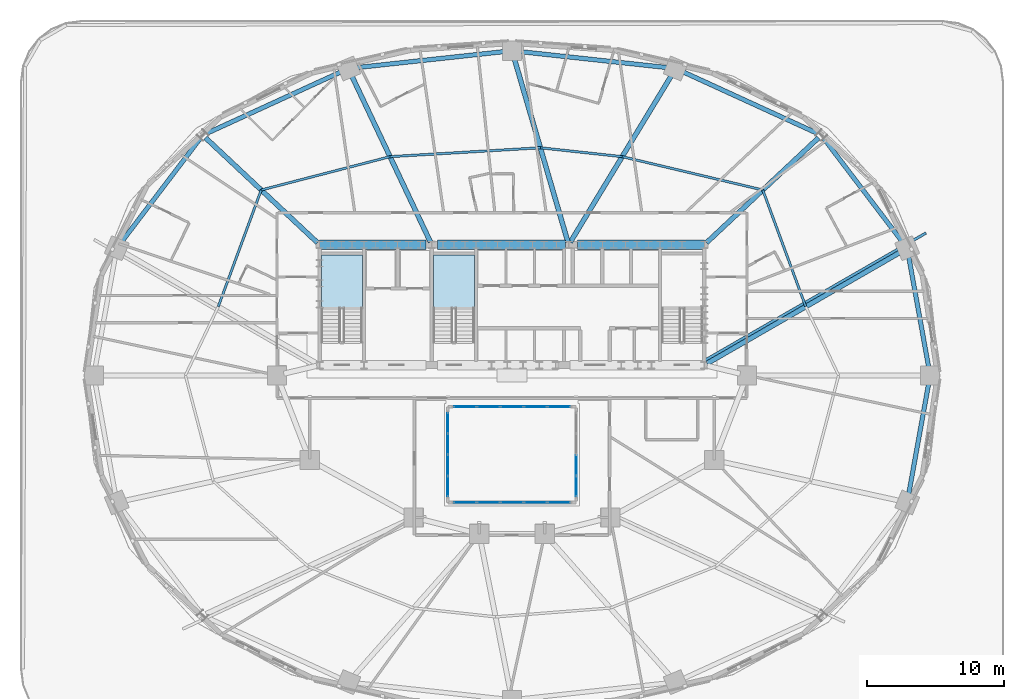
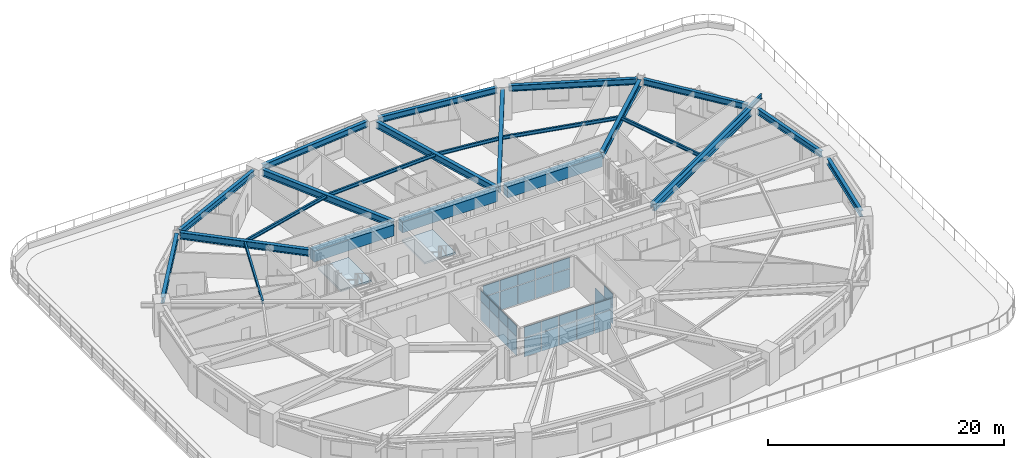
# One storey, part 6 of 18: 31 plates, 24 beams, 2 slabs, 6 elements without a shape of their own.
"""IFC4 building model written with IfcOpenShell, lengths in metres."""

from ifc_helpers import new_model, si_unit, direction, frame, origin, origin_2d, place, context, subcontext, project, spatial, polyline, rectangle, i_section, outline, extrude, material, layer, layer_set, material_profile, profile_set, type_object, element, aggregate, save


model = new_model("IFC4")

# Units and contexts
model_context = context("Model", 3, precision=1e-05, world=origin(), true_north=direction((0.0, 1.0)))
body_context = subcontext(model_context, "Body", "Model", "MODEL_VIEW")
ifc_project = project(units=[si_unit("LENGTHUNIT", "METRE"), si_unit("AREAUNIT", "SQUARE_METRE"), si_unit("VOLUMEUNIT", "CUBIC_METRE"), si_unit("PLANEANGLEUNIT", "RADIAN"), si_unit("MASSUNIT", "GRAM", prefix="KILO")], contexts=[model_context])

# Site, building, storey
site_placement = place(None, origin())
site = spatial("IfcSite", under=ifc_project, at=site_placement, CompositionType="ELEMENT")
building_placement = place(site_placement, origin())
building = spatial("IfcBuilding", under=site, at=building_placement, Name="Haldorwick Loom Tower", CompositionType="ELEMENT")
storey_placement = place(building_placement, frame((0.0, 0.0, 24.0)))
storey = spatial("IfcBuildingStorey", under=building, at=storey_placement, Name="L05", CompositionType="ELEMENT", Elevation=24.0)

# Beams
ifc_material_1 = material(Name="Steel CSA G40.21 350W", Category="steel")
ifc_material_profile_1 = material_profile(ifc_material_1, i_section(OverallWidth=0.193115234375, OverallDepth=0.466064453125, WebThickness=0.011474609375, FlangeThickness=0.01904296875, at=origin_2d()), Name="W460X97", Category="steel")
ifc_profile_set_1 = profile_set([ifc_material_profile_1], Name="Steel CSA G40.21 350W")
beam_type_1 = type_object("IfcBeamType", Name="STR-BM-BAL460", PredefinedType="BEAM", material=ifc_profile_set_1)
beam_1_placement = place(storey_placement, frame((50.125244140625, 27.10498046875, 2.97705078125), z_axis=(0.866607024941, 0.49899124674, 0.0), x_axis=(-0.49899124674, 0.866607024941, 0.0)))
element("IfcBeam", 1, at=beam_1_placement, inside=storey, type_object=beam_type_1, Name="L05 Continuous Back-Spanned Balcony Beam 4", PredefinedType="BEAM", context=body_context, shape_type="SweptSolid", body=[
    extrude(i_section(OverallWidth=0.193115234375, OverallDepth=0.466064453125, WebThickness=0.011474609375, FlangeThickness=0.01904296875, at=origin_2d()), origin(), (0.0, 0.0, 1.0), 18.65771484375),
])
ifc_material_2 = material(Name="Concrete C60 (60 MPa)", Category="concrete")
ifc_material_profile_2 = material_profile(ifc_material_2, rectangle(XDim=0.699951171875, YDim=1.14990234375, at=origin_2d()), Name="RC700X1150", Category="concrete")
ifc_profile_set_2 = profile_set([ifc_material_profile_2], Name="Concrete C60 (60 MPa)")
beam_type_2 = type_object("IfcBeamType", Name="STR-BM-CB1150", PredefinedType="LINTEL", material=ifc_profile_set_2)
beam_2_placement = place(storey_placement, frame((21.89990234375, 35.550048828125, 2.635009765625), z_axis=(1.0, 0.0, 0.0), x_axis=(0.0, 1.0, 0.0)))
element("IfcBeam", 2, at=beam_2_placement, inside=storey, type_object=beam_type_2, Name="L05 Core Coupling Beam CB-N1", PredefinedType="LINTEL", context=body_context, shape_type="SweptSolid", body=[
    extrude(rectangle(XDim=0.699951171875, YDim=1.14990234375, at=origin_2d()), origin(), (0.0, 0.0, 1.0), 7.800048828125),
])
beam_3_placement = place(storey_placement, frame((30.550048828125, 35.550048828125, 2.635009765625), z_axis=(1.0, 0.0, 0.0), x_axis=(0.0, 1.0, 0.0)))
element("IfcBeam", 3, at=beam_3_placement, inside=storey, type_object=beam_type_2, Name="L05 Core Coupling Beam CB-N2", PredefinedType="LINTEL", context=body_context, shape_type="SweptSolid", body=[
    extrude(rectangle(XDim=0.699951171875, YDim=1.14990234375, at=origin_2d()), origin(), (0.0, 0.0, 1.0), 9.349853515625),
])
beam_4_placement = place(storey_placement, frame((40.800048828125, 35.550048828125, 2.635009765625), z_axis=(1.0, 0.0, 0.0), x_axis=(0.0, 1.0, 0.0)))
element("IfcBeam", 4, at=beam_4_placement, inside=storey, type_object=beam_type_2, Name="L05 Core Coupling Beam CB-N3", PredefinedType="LINTEL", context=body_context, shape_type="SweptSolid", body=[
    extrude(rectangle(XDim=0.699951171875, YDim=1.14990234375, at=origin_2d()), origin(), (0.0, 0.0, 1.0), 9.300048828125),
])
ifc_material_profile_3 = material_profile(ifc_material_1, i_section(OverallWidth=0.172119140625, OverallDepth=0.35791015625, WebThickness=0.0078125, FlangeThickness=0.01318359375, at=origin_2d()), Name="W360X57", Category="steel")
ifc_profile_set_3 = profile_set([ifc_material_profile_3], Name="Steel CSA G40.21 350W")
beam_type_3 = type_object("IfcBeamType", Name="STR-BM-J360", PredefinedType="JOIST", material=ifc_profile_set_3)
beam_5_placement = place(storey_placement, frame((57.49365234375, 31.024658203125, 3.031005859375), z_axis=(-0.345576005762, 0.938390763084, 0.0), x_axis=(-0.938390763084, -0.345576005762, 0.0)))
element("IfcBeam", 5, at=beam_5_placement, inside=storey, type_object=beam_type_3, Name="L05 Mid-Bay Secondary Joist 2", PredefinedType="JOIST", context=body_context, shape_type="SweptSolid", body=[
    extrude(i_section(OverallWidth=0.172119140625, OverallDepth=0.35791015625, WebThickness=0.0078125, FlangeThickness=0.01318359375, at=origin_2d()), origin(), (0.0, 0.0, 1.0), 9.0966796875),
])
beam_6_placement = place(storey_placement, frame((54.35009765625, 39.560791015625, 3.031005859375), z_axis=(-0.973016191143, 0.230736845289, 0.0), x_axis=(-0.230736845289, -0.973016191143, 0.0)))
element("IfcBeam", 6, at=beam_6_placement, inside=storey, type_object=beam_type_3, Name="L05 Mid-Bay Secondary Joist 3", PredefinedType="JOIST", context=body_context, shape_type="SweptSolid", body=[
    extrude(i_section(OverallWidth=0.172119140625, OverallDepth=0.35791015625, WebThickness=0.0078125, FlangeThickness=0.01318359375, at=origin_2d()), origin(), (0.0, 0.0, 1.0), 10.5712890625),
])
beam_7_placement = place(storey_placement, frame((44.06396484375, 42.0, 3.031005859375), z_axis=(-0.994163660215, 0.107882420753, 0.0), x_axis=(-0.107882420753, -0.994163660215, 0.0)))
element("IfcBeam", 7, at=beam_7_placement, inside=storey, type_object=beam_type_3, Name="L05 Mid-Bay Secondary Joist 4", PredefinedType="JOIST", context=body_context, shape_type="SweptSolid", body=[
    extrude(i_section(OverallWidth=0.172119140625, OverallDepth=0.35791015625, WebThickness=0.0078125, FlangeThickness=0.01318359375, at=origin_2d()), origin(), (0.0, 0.0, 1.0), 6.024169921875),
])
beam_8_placement = place(storey_placement, frame((38.074951171875, 42.64990234375, 3.031005859375), z_axis=(-0.998258904552, -0.058984400336, 0.0), x_axis=(0.058984400336, -0.998258904552, 0.0)))
element("IfcBeam", 8, at=beam_8_placement, inside=storey, type_object=beam_type_3, Name="L05 Mid-Bay Secondary Joist 5", PredefinedType="JOIST", context=body_context, shape_type="SweptSolid", body=[
    extrude(i_section(OverallWidth=0.172119140625, OverallDepth=0.35791015625, WebThickness=0.0078125, FlangeThickness=0.01318359375, at=origin_2d()), origin(), (0.0, 0.0, 1.0), 11.018310546875),
])
beam_9_placement = place(storey_placement, frame((27.075927734375, 42.0, 3.031005859375), z_axis=(-0.968110955806, -0.250521809927, 0.0), x_axis=(0.250521809927, -0.968110955806, 0.0)))
element("IfcBeam", 9, at=beam_9_placement, inside=storey, type_object=beam_type_3, Name="L05 Mid-Bay Secondary Joist 6", PredefinedType="JOIST", context=body_context, shape_type="SweptSolid", body=[
    extrude(i_section(OverallWidth=0.172119140625, OverallDepth=0.35791015625, WebThickness=0.0078125, FlangeThickness=0.01318359375, at=origin_2d()), origin(), (0.0, 0.0, 1.0), 9.736572265625),
])
beam_10_placement = place(storey_placement, frame((17.64990234375, 39.560791015625, 3.031005859375), z_axis=(-0.345576005762, -0.938390763084, 0.0), x_axis=(0.938390763084, -0.345576005762, 0.0)))
element("IfcBeam", 10, at=beam_10_placement, inside=storey, type_object=beam_type_3, Name="L05 Mid-Bay Secondary Joist 7", PredefinedType="JOIST", context=body_context, shape_type="SweptSolid", body=[
    extrude(i_section(OverallWidth=0.172119140625, OverallDepth=0.35791015625, WebThickness=0.0078125, FlangeThickness=0.01318359375, at=origin_2d()), origin(), (0.0, 0.0, 1.0), 9.0966796875),
])
ifc_material_profile_4 = material_profile(ifc_material_1, i_section(OverallWidth=0.324951171875, OverallDepth=0.615966796875, WebThickness=0.013916015625, FlangeThickness=0.021484375, at=origin_2d()), Name="W610X174", Category="steel")
ifc_profile_set_4 = profile_set([ifc_material_profile_4], Name="Steel CSA G40.21 350W")
beam_type_4 = type_object("IfcBeamType", Name="STR-BM-SP610", PredefinedType="SPANDREL", material=ifc_profile_set_4)
beam_11_placement = place(storey_placement, frame((66.503662109375, 26.51171875, 2.902099609375), z_axis=(-0.177641139482, 0.984095333575, 0.0), x_axis=(-0.984095333575, -0.177641139482, 0.0)))
element("IfcBeam", 11, at=beam_11_placement, inside=storey, type_object=beam_type_4, Name="L05 Perimeter Spandrel 1", PredefinedType="SPANDREL", context=body_context, shape_type="SweptSolid", body=[
    extrude(i_section(OverallWidth=0.324951171875, OverallDepth=0.615966796875, WebThickness=0.013916015625, FlangeThickness=0.021484375, at=origin_2d()), origin(), (0.0, 0.0, 1.0), 8.40966796875),
])
beam_12_placement = place(storey_placement, frame((64.602783203125, 35.713134765625, 2.902099609375), z_axis=(-0.605084557744, 0.796161213562, 0.0), x_axis=(-0.796161213562, -0.605084557744, 0.0)))
element("IfcBeam", 12, at=beam_12_placement, inside=storey, type_object=beam_type_4, Name="L05 Perimeter Spandrel 2", PredefinedType="SPANDREL", context=body_context, shape_type="SweptSolid", body=[
    extrude(i_section(OverallWidth=0.324951171875, OverallDepth=0.615966796875, WebThickness=0.013916015625, FlangeThickness=0.021484375, at=origin_2d()), origin(), (0.0, 0.0, 1.0), 9.595703125),
])
beam_13_placement = place(storey_placement, frame((58.380126953125, 43.68603515625, 2.902099609375), z_axis=(-0.909173805321, 0.416416848504, 0.0), x_axis=(-0.416416848504, -0.909173805321, 0.0)))
element("IfcBeam", 13, at=beam_13_placement, inside=storey, type_object=beam_type_4, Name="L05 Perimeter Spandrel 3", PredefinedType="SPANDREL", context=body_context, shape_type="SweptSolid", body=[
    extrude(i_section(OverallWidth=0.324951171875, OverallDepth=0.615966796875, WebThickness=0.013916015625, FlangeThickness=0.021484375, at=origin_2d()), origin(), (0.0, 0.0, 1.0), 10.92138671875),
])
for number, where, z_axis, x_axis, name in (
    (14, (47.4609375, 48.50634765625, 2.902099609375), (-0.994164438636, 0.107875247167, 0.0), (-0.107875247167, -0.994164438636, 0.0), "L05 Perimeter Spandrel 4"),
    (15, (35.48291015625, 49.69384765625, 2.902099609375), (-0.994164438636, -0.107875247167, 0.0), (0.107875247167, -0.994164438636, 0.0), "L05 Perimeter Spandrel 5"),
):
    element("IfcBeam", number, at=place(storey_placement, frame(where, z_axis=z_axis, x_axis=x_axis)), inside=storey, type_object=beam_type_4, Name=name, PredefinedType="SPANDREL", context=body_context, shape_type="SweptSolid", body=[
        extrude(i_section(OverallWidth=0.324951171875, OverallDepth=0.615966796875, WebThickness=0.013916015625, FlangeThickness=0.021484375, at=origin_2d()), origin(), (0.0, 0.0, 1.0), 11.008056640625),
    ])
beam_14_placement = place(storey_placement, frame((23.54931640625, 48.23388671875, 2.902099609375), z_axis=(-0.909173805321, -0.416416848504, 0.0), x_axis=(0.416416848504, -0.909173805321, 0.0)))
element("IfcBeam", 16, at=beam_14_placement, inside=storey, type_object=beam_type_4, Name="L05 Perimeter Spandrel 6", PredefinedType="SPANDREL", context=body_context, shape_type="SweptSolid", body=[
    extrude(i_section(OverallWidth=0.324951171875, OverallDepth=0.615966796875, WebThickness=0.013916015625, FlangeThickness=0.021484375, at=origin_2d()), origin(), (0.0, 0.0, 1.0), 10.92138671875),
])
beam_15_placement = place(storey_placement, frame((13.203369140625, 43.352783203125, 2.902099609375), z_axis=(-0.605084557744, -0.796161213562, 0.0), x_axis=(0.796161213562, -0.605084557744, 0.0)))
element("IfcBeam", 17, at=beam_15_placement, inside=storey, type_object=beam_type_4, Name="L05 Perimeter Spandrel 7", PredefinedType="SPANDREL", context=body_context, shape_type="SweptSolid", body=[
    extrude(i_section(OverallWidth=0.324951171875, OverallDepth=0.615966796875, WebThickness=0.013916015625, FlangeThickness=0.021484375, at=origin_2d()), origin(), (0.0, 0.0, 1.0), 9.595703125),
])
beam_16_placement = place(storey_placement, frame((65.009765625, 17.21240234375, 2.902099609375), z_axis=(0.177641139482, 0.984095333575, 0.0), x_axis=(-0.984095333575, 0.177641139482, 0.0)))
element("IfcBeam", 18, at=beam_16_placement, inside=storey, type_object=beam_type_4, Name="L05 Perimeter Spandrel 16", PredefinedType="SPANDREL", context=body_context, shape_type="SweptSolid", body=[
    extrude(i_section(OverallWidth=0.324951171875, OverallDepth=0.615966796875, WebThickness=0.013916015625, FlangeThickness=0.021484375, at=origin_2d()), origin(), (0.0, 0.0, 1.0), 8.40966796875),
])
ifc_material_profile_5 = material_profile(ifc_material_1, i_section(OverallWidth=0.35498046875, OverallDepth=0.695068359375, WebThickness=0.015380859375, FlangeThickness=0.02490234375, at=origin_2d()), Name="W690X217", Category="steel")
ifc_profile_set_5 = profile_set([ifc_material_profile_5], Name="Steel CSA G40.21 350W")
beam_type_5 = type_object("IfcBeamType", Name="STR-BM-W690", PredefinedType="BEAM", material=ifc_profile_set_5)
beam_17_placement = place(storey_placement, frame((50.264892578125, 26.8623046875, 2.862548828125), z_axis=(0.86660566838, 0.498993602696, 0.0), x_axis=(-0.498993602696, 0.86660566838, 0.0)))
element("IfcBeam", 19, at=beam_17_placement, inside=storey, type_object=beam_type_5, Name="L05 Radial Floor Girder 2", PredefinedType="BEAM", context=body_context, shape_type="SweptSolid", body=[
    extrude(i_section(OverallWidth=0.35498046875, OverallDepth=0.695068359375, WebThickness=0.015380859375, FlangeThickness=0.02490234375, at=origin_2d()), origin(), (0.0, 0.0, 1.0), 16.387939453125),
])
beam_18_placement = place(storey_placement, frame((50.234130859375, 35.703857421875, 2.862548828125), z_axis=(0.729689033278, 0.683779141766, 0.0), x_axis=(-0.683779141766, 0.729689033278, 0.0)))
element("IfcBeam", 20, at=beam_18_placement, inside=storey, type_object=beam_type_5, Name="L05 Radial Floor Girder 3", PredefinedType="BEAM", context=body_context, shape_type="SweptSolid", body=[
    extrude(i_section(OverallWidth=0.35498046875, OverallDepth=0.695068359375, WebThickness=0.015380859375, FlangeThickness=0.02490234375, at=origin_2d()), origin(), (0.0, 0.0, 1.0), 11.231201171875),
])
beam_19_placement = place(storey_placement, frame((40.2666015625, 35.742431640625, 2.862548828125), z_axis=(0.518781813409, 0.854906679162, 0.0), x_axis=(-0.854906679162, 0.518781813409, 0.0)))
element("IfcBeam", 21, at=beam_19_placement, inside=storey, type_object=beam_type_5, Name="L05 Radial Floor Girder 4", PredefinedType="BEAM", context=body_context, shape_type="SweptSolid", body=[
    extrude(i_section(OverallWidth=0.35498046875, OverallDepth=0.695068359375, WebThickness=0.015380859375, FlangeThickness=0.02490234375, at=origin_2d()), origin(), (0.0, 0.0, 1.0), 14.344482421875),
])
beam_20_placement = place(storey_placement, frame((40.0869140625, 35.76611328125, 2.862548828125), z_axis=(-0.28051378914, 0.959849995625, 0.0), x_axis=(-0.959849995625, -0.28051378914, 0.0)))
element("IfcBeam", 22, at=beam_20_placement, inside=storey, type_object=beam_type_5, Name="L05 Radial Floor Girder 5", PredefinedType="BEAM", context=body_context, shape_type="SweptSolid", body=[
    extrude(i_section(OverallWidth=0.35498046875, OverallDepth=0.695068359375, WebThickness=0.015380859375, FlangeThickness=0.02490234375, at=origin_2d()), origin(), (0.0, 0.0, 1.0), 14.048828125),
])
beam_21_placement = place(storey_placement, frame((30.03369140625, 35.75341796875, 2.862548828125), z_axis=(-0.427945149389, 0.903804707398, 0.0), x_axis=(-0.903804707398, -0.427945149389, 0.0)))
element("IfcBeam", 23, at=beam_21_placement, inside=storey, type_object=beam_type_5, Name="L05 Radial Floor Girder 6", PredefinedType="BEAM", context=body_context, shape_type="SweptSolid", body=[
    extrude(i_section(OverallWidth=0.35498046875, OverallDepth=0.695068359375, WebThickness=0.015380859375, FlangeThickness=0.02490234375, at=origin_2d()), origin(), (0.0, 0.0, 1.0), 13.528076171875),
])
beam_22_placement = place(storey_placement, frame((21.765869140625, 35.703857421875, 2.862548828125), z_axis=(-0.729689033278, 0.683779141766, 0.0), x_axis=(-0.683779141766, -0.729689033278, 0.0)))
element("IfcBeam", 24, at=beam_22_placement, inside=storey, type_object=beam_type_5, Name="L05 Radial Floor Girder 7", PredefinedType="BEAM", context=body_context, shape_type="SweptSolid", body=[
    extrude(i_section(OverallWidth=0.35498046875, OverallDepth=0.695068359375, WebThickness=0.015380859375, FlangeThickness=0.02490234375, at=origin_2d()), origin(), (0.0, 0.0, 1.0), 11.231201171875),
])

# Curtain wall, plates
ifc_material_3 = material(Name="Thermally Broken Anodized Aluminium Curtain Wall Framing", Category="aluminium")
curtain_wall_type = type_object("IfcCurtainWallType", Name="ARC-CW-03", PredefinedType="NOTDEFINED", material=ifc_material_3)
curtain_wall_1_placement = place(storey_placement, origin())
curtain_wall_1 = element("IfcCurtainWall", 25, at=curtain_wall_1_placement, inside=storey, type_object=curtain_wall_type, Name="L05 Atrium Glazed Screen S", PredefinedType="NOTDEFINED")
ifc_material_4 = material(Name="Triple-Glazed Low-E Argon Insulated Glazing Unit", Category="glass")
ifc_layer_1 = layer(ifc_material_4, 0.04296875, Name="Triple-Glazed Low-E Argon Insulated Glazing Unit", Category="glass")
ifc_layer_set_1 = layer_set([ifc_layer_1], Name="Triple-Glazed Low-E Argon Insulated Glazing Unit")
plate_type = type_object("IfcPlateType", Name="ARC-CWP-03", PredefinedType="CURTAIN_PANEL", material=ifc_layer_set_1)
plate_1_placement = place(storey_placement, frame((39.423583984375, 16.699951171875, 0.066162109375), z_axis=(0.0, 0.0, 1.0), x_axis=(-1.0, 0.0, 0.0)))
plate_1 = element("IfcPlate", 26, at=plate_1_placement, type_object=plate_type, Name="CW-03 panel 1.1", PredefinedType="CURTAIN_PANEL", context=body_context, shape_type="SweptSolid", body=[
    extrude(rectangle(XDim=1.62109375, YDim=0.04296875, at=origin_2d()), origin(), (0.0, 0.0, 1.0), 1.90087890625),
])
plate_2_placement = place(storey_placement, frame((39.423583984375, 16.699951171875, 2.03271484375), z_axis=(0.0, 0.0, 1.0), x_axis=(-1.0, 0.0, 0.0)))
plate_2 = element("IfcPlate", 27, at=plate_2_placement, type_object=plate_type, Name="CW-03 panel 1.2", PredefinedType="CURTAIN_PANEL", context=body_context, shape_type="SweptSolid", body=[
    extrude(rectangle(XDim=1.62109375, YDim=0.04296875, at=origin_2d()), origin(), (0.0, 0.0, 1.0), 1.111083984375),
])
plate_3_placement = place(storey_placement, frame((37.719970703125, 16.699951171875, 0.066162109375), z_axis=(0.0, 0.0, 1.0), x_axis=(-1.0, 0.0, 0.0)))
plate_3 = element("IfcPlate", 28, at=plate_3_placement, type_object=plate_type, Name="CW-03 panel 2.1", PredefinedType="CURTAIN_PANEL", context=body_context, shape_type="SweptSolid", body=[
    extrude(rectangle(XDim=1.654052734375, YDim=0.04296875, at=origin_2d()), origin(), (0.0, 0.0, 1.0), 1.90087890625),
])
plate_4_placement = place(storey_placement, frame((37.719970703125, 16.699951171875, 2.03271484375), z_axis=(0.0, 0.0, 1.0), x_axis=(-1.0, 0.0, 0.0)))
plate_4 = element("IfcPlate", 29, at=plate_4_placement, type_object=plate_type, Name="CW-03 panel 2.2", PredefinedType="CURTAIN_PANEL", context=body_context, shape_type="SweptSolid", body=[
    extrude(rectangle(XDim=1.654052734375, YDim=0.04296875, at=origin_2d()), origin(), (0.0, 0.0, 1.0), 1.111083984375),
])
plate_5_placement = place(storey_placement, frame((36.0, 16.699951171875, 0.066162109375), z_axis=(0.0, 0.0, 1.0), x_axis=(-1.0, 0.0, 0.0)))
plate_5 = element("IfcPlate", 30, at=plate_5_placement, type_object=plate_type, Name="CW-03 panel 3.1", PredefinedType="CURTAIN_PANEL", context=body_context, shape_type="SweptSolid", body=[
    extrude(rectangle(XDim=1.654052734375, YDim=0.04296875, at=origin_2d()), origin(), (0.0, 0.0, 1.0), 1.90087890625),
])
plate_6_placement = place(storey_placement, frame((36.0, 16.699951171875, 2.03271484375), z_axis=(0.0, 0.0, 1.0), x_axis=(-1.0, 0.0, 0.0)))
plate_6 = element("IfcPlate", 31, at=plate_6_placement, type_object=plate_type, Name="CW-03 panel 3.2", PredefinedType="CURTAIN_PANEL", context=body_context, shape_type="SweptSolid", body=[
    extrude(rectangle(XDim=1.654052734375, YDim=0.04296875, at=origin_2d()), origin(), (0.0, 0.0, 1.0), 1.111083984375),
])
plate_7_placement = place(storey_placement, frame((34.280029296875, 16.699951171875, 0.066162109375), z_axis=(0.0, 0.0, 1.0), x_axis=(-1.0, 0.0, 0.0)))
plate_7 = element("IfcPlate", 32, at=plate_7_placement, type_object=plate_type, Name="CW-03 panel 4.1", PredefinedType="CURTAIN_PANEL", context=body_context, shape_type="SweptSolid", body=[
    extrude(rectangle(XDim=1.654052734375, YDim=0.04296875, at=origin_2d()), origin(), (0.0, 0.0, 1.0), 1.90087890625),
])
plate_8_placement = place(storey_placement, frame((34.280029296875, 16.699951171875, 2.03271484375), z_axis=(0.0, 0.0, 1.0), x_axis=(-1.0, 0.0, 0.0)))
plate_8 = element("IfcPlate", 33, at=plate_8_placement, type_object=plate_type, Name="CW-03 panel 4.2", PredefinedType="CURTAIN_PANEL", context=body_context, shape_type="SweptSolid", body=[
    extrude(rectangle(XDim=1.654052734375, YDim=0.04296875, at=origin_2d()), origin(), (0.0, 0.0, 1.0), 1.111083984375),
])
plate_9_placement = place(storey_placement, frame((32.576416015625, 16.699951171875, 0.066162109375), z_axis=(0.0, 0.0, 1.0), x_axis=(-1.0, 0.0, 0.0)))
plate_9 = element("IfcPlate", 34, at=plate_9_placement, type_object=plate_type, Name="CW-03 panel 5.1", PredefinedType="CURTAIN_PANEL", context=body_context, shape_type="SweptSolid", body=[
    extrude(rectangle(XDim=1.62109375, YDim=0.04296875, at=origin_2d()), origin(), (0.0, 0.0, 1.0), 1.90087890625),
])
plate_10_placement = place(storey_placement, frame((32.576416015625, 16.699951171875, 2.03271484375), z_axis=(0.0, 0.0, 1.0), x_axis=(-1.0, 0.0, 0.0)))
plate_10 = element("IfcPlate", 35, at=plate_10_placement, type_object=plate_type, Name="CW-03 panel 5.2", PredefinedType="CURTAIN_PANEL", context=body_context, shape_type="SweptSolid", body=[
    extrude(rectangle(XDim=1.62109375, YDim=0.04296875, at=origin_2d()), origin(), (0.0, 0.0, 1.0), 1.111083984375),
])
aggregate(curtain_wall_1, [plate_1, plate_2, plate_3, plate_4, plate_5, plate_6, plate_7, plate_8, plate_9, plate_10])

curtain_wall_2_placement = place(storey_placement, origin())
curtain_wall_2 = element("IfcCurtainWall", 36, at=curtain_wall_2_placement, inside=storey, type_object=curtain_wall_type, Name="L05 Atrium Glazed Screen N", PredefinedType="NOTDEFINED")
plate_11_placement = place(storey_placement, frame((32.576416015625, 23.699951171875, 0.066162109375), z_axis=(0.0, 0.0, 1.0), x_axis=(1.0, 0.0, 0.0)))
plate_11 = element("IfcPlate", 37, at=plate_11_placement, type_object=plate_type, Name="CW-03 panel 1.1", PredefinedType="CURTAIN_PANEL", context=body_context, shape_type="SweptSolid", body=[
    extrude(rectangle(XDim=1.62109375, YDim=0.04296875, at=origin_2d()), origin(), (0.0, 0.0, 1.0), 1.90087890625),
])
plate_12_placement = place(storey_placement, frame((32.576416015625, 23.699951171875, 2.03271484375), z_axis=(0.0, 0.0, 1.0), x_axis=(1.0, 0.0, 0.0)))
plate_12 = element("IfcPlate", 38, at=plate_12_placement, type_object=plate_type, Name="CW-03 panel 1.2", PredefinedType="CURTAIN_PANEL", context=body_context, shape_type="SweptSolid", body=[
    extrude(rectangle(XDim=1.62109375, YDim=0.04296875, at=origin_2d()), origin(), (0.0, 0.0, 1.0), 1.111083984375),
])
plate_13_placement = place(storey_placement, frame((34.280029296875, 23.699951171875, 0.066162109375), z_axis=(0.0, 0.0, 1.0), x_axis=(1.0, 0.0, 0.0)))
plate_13 = element("IfcPlate", 39, at=plate_13_placement, type_object=plate_type, Name="CW-03 panel 2.1", PredefinedType="CURTAIN_PANEL", context=body_context, shape_type="SweptSolid", body=[
    extrude(rectangle(XDim=1.654052734375, YDim=0.04296875, at=origin_2d()), origin(), (0.0, 0.0, 1.0), 1.90087890625),
])
plate_14_placement = place(storey_placement, frame((34.280029296875, 23.699951171875, 2.03271484375), z_axis=(0.0, 0.0, 1.0), x_axis=(1.0, 0.0, 0.0)))
plate_14 = element("IfcPlate", 40, at=plate_14_placement, type_object=plate_type, Name="CW-03 panel 2.2", PredefinedType="CURTAIN_PANEL", context=body_context, shape_type="SweptSolid", body=[
    extrude(rectangle(XDim=1.654052734375, YDim=0.04296875, at=origin_2d()), origin(), (0.0, 0.0, 1.0), 1.111083984375),
])
plate_15_placement = place(storey_placement, frame((36.0, 23.699951171875, 0.066162109375), z_axis=(0.0, 0.0, 1.0), x_axis=(1.0, 0.0, 0.0)))
plate_15 = element("IfcPlate", 41, at=plate_15_placement, type_object=plate_type, Name="CW-03 panel 3.1", PredefinedType="CURTAIN_PANEL", context=body_context, shape_type="SweptSolid", body=[
    extrude(rectangle(XDim=1.654052734375, YDim=0.04296875, at=origin_2d()), origin(), (0.0, 0.0, 1.0), 1.90087890625),
])
plate_16_placement = place(storey_placement, frame((36.0, 23.699951171875, 2.03271484375), z_axis=(0.0, 0.0, 1.0), x_axis=(1.0, 0.0, 0.0)))
plate_16 = element("IfcPlate", 42, at=plate_16_placement, type_object=plate_type, Name="CW-03 panel 3.2", PredefinedType="CURTAIN_PANEL", context=body_context, shape_type="SweptSolid", body=[
    extrude(rectangle(XDim=1.654052734375, YDim=0.04296875, at=origin_2d()), origin(), (0.0, 0.0, 1.0), 1.111083984375),
])
plate_17_placement = place(storey_placement, frame((37.719970703125, 23.699951171875, 0.066162109375), z_axis=(0.0, 0.0, 1.0), x_axis=(1.0, 0.0, 0.0)))
plate_17 = element("IfcPlate", 43, at=plate_17_placement, type_object=plate_type, Name="CW-03 panel 4.1", PredefinedType="CURTAIN_PANEL", context=body_context, shape_type="SweptSolid", body=[
    extrude(rectangle(XDim=1.654052734375, YDim=0.04296875, at=origin_2d()), origin(), (0.0, 0.0, 1.0), 1.90087890625),
])
plate_18_placement = place(storey_placement, frame((37.719970703125, 23.699951171875, 2.03271484375), z_axis=(0.0, 0.0, 1.0), x_axis=(1.0, 0.0, 0.0)))
plate_18 = element("IfcPlate", 44, at=plate_18_placement, type_object=plate_type, Name="CW-03 panel 4.2", PredefinedType="CURTAIN_PANEL", context=body_context, shape_type="SweptSolid", body=[
    extrude(rectangle(XDim=1.654052734375, YDim=0.04296875, at=origin_2d()), origin(), (0.0, 0.0, 1.0), 1.111083984375),
])
plate_19_placement = place(storey_placement, frame((39.423583984375, 23.699951171875, 0.066162109375), z_axis=(0.0, 0.0, 1.0), x_axis=(1.0, 0.0, 0.0)))
plate_19 = element("IfcPlate", 45, at=plate_19_placement, type_object=plate_type, Name="CW-03 panel 5.1", PredefinedType="CURTAIN_PANEL", context=body_context, shape_type="SweptSolid", body=[
    extrude(rectangle(XDim=1.62109375, YDim=0.04296875, at=origin_2d()), origin(), (0.0, 0.0, 1.0), 1.90087890625),
])
plate_20_placement = place(storey_placement, frame((39.423583984375, 23.699951171875, 2.03271484375), z_axis=(0.0, 0.0, 1.0), x_axis=(1.0, 0.0, 0.0)))
plate_20 = element("IfcPlate", 46, at=plate_20_placement, type_object=plate_type, Name="CW-03 panel 5.2", PredefinedType="CURTAIN_PANEL", context=body_context, shape_type="SweptSolid", body=[
    extrude(rectangle(XDim=1.62109375, YDim=0.04296875, at=origin_2d()), origin(), (0.0, 0.0, 1.0), 1.111083984375),
])
aggregate(curtain_wall_2, [plate_11, plate_12, plate_13, plate_14, plate_15, plate_16, plate_17, plate_18, plate_19, plate_20])

curtain_wall_3_placement = place(storey_placement, origin())
curtain_wall_3 = element("IfcCurtainWall", 47, at=curtain_wall_3_placement, inside=storey, type_object=curtain_wall_type, Name="L05 Atrium Glazed Screen W", PredefinedType="NOTDEFINED")
plate_21_placement = place(storey_placement, frame((31.300048828125, 17.8916015625, 0.066162109375), z_axis=(0.0, 0.0, 1.0), x_axis=(0.0, 1.0, 0.0)))
plate_21 = element("IfcPlate", 48, at=plate_21_placement, type_object=plate_type, Name="CW-03 panel 1.1", PredefinedType="CURTAIN_PANEL", context=body_context, shape_type="SweptSolid", body=[
    extrude(rectangle(XDim=1.450927734375, YDim=0.04296875, at=origin_2d()), origin(), (0.0, 0.0, 1.0), 1.90087890625),
])
plate_22_placement = place(storey_placement, frame((31.300048828125, 17.8916015625, 2.03271484375), z_axis=(0.0, 0.0, 1.0), x_axis=(0.0, 1.0, 0.0)))
plate_22 = element("IfcPlate", 49, at=plate_22_placement, type_object=plate_type, Name="CW-03 panel 1.2", PredefinedType="CURTAIN_PANEL", context=body_context, shape_type="SweptSolid", body=[
    extrude(rectangle(XDim=1.450927734375, YDim=0.04296875, at=origin_2d()), origin(), (0.0, 0.0, 1.0), 1.111083984375),
])
plate_23_placement = place(storey_placement, frame((31.300048828125, 19.425048828125, 0.066162109375), z_axis=(0.0, 0.0, 1.0), x_axis=(0.0, 1.0, 0.0)))
plate_23 = element("IfcPlate", 50, at=plate_23_placement, type_object=plate_type, Name="CW-03 panel 2.1", PredefinedType="CURTAIN_PANEL", context=body_context, shape_type="SweptSolid", body=[
    extrude(rectangle(XDim=1.48388671875, YDim=0.04296875, at=origin_2d()), origin(), (0.0, 0.0, 1.0), 1.90087890625),
])
plate_24_placement = place(storey_placement, frame((31.300048828125, 19.425048828125, 2.03271484375), z_axis=(0.0, 0.0, 1.0), x_axis=(0.0, 1.0, 0.0)))
plate_24 = element("IfcPlate", 51, at=plate_24_placement, type_object=plate_type, Name="CW-03 panel 2.2", PredefinedType="CURTAIN_PANEL", context=body_context, shape_type="SweptSolid", body=[
    extrude(rectangle(XDim=1.48388671875, YDim=0.04296875, at=origin_2d()), origin(), (0.0, 0.0, 1.0), 1.111083984375),
])
plate_25_placement = place(storey_placement, frame((31.300048828125, 20.97509765625, 0.066162109375), z_axis=(0.0, 0.0, 1.0), x_axis=(0.0, 1.0, 0.0)))
plate_25 = element("IfcPlate", 52, at=plate_25_placement, type_object=plate_type, Name="CW-03 panel 3.1", PredefinedType="CURTAIN_PANEL", context=body_context, shape_type="SweptSolid", body=[
    extrude(rectangle(XDim=1.48388671875, YDim=0.04296875, at=origin_2d()), origin(), (0.0, 0.0, 1.0), 1.90087890625),
])
plate_26_placement = place(storey_placement, frame((31.300048828125, 20.97509765625, 2.03271484375), z_axis=(0.0, 0.0, 1.0), x_axis=(0.0, 1.0, 0.0)))
plate_26 = element("IfcPlate", 53, at=plate_26_placement, type_object=plate_type, Name="CW-03 panel 3.2", PredefinedType="CURTAIN_PANEL", context=body_context, shape_type="SweptSolid", body=[
    extrude(rectangle(XDim=1.48388671875, YDim=0.04296875, at=origin_2d()), origin(), (0.0, 0.0, 1.0), 1.111083984375),
])
plate_27_placement = place(storey_placement, frame((31.300048828125, 22.508544921875, 0.066162109375), z_axis=(0.0, 0.0, 1.0), x_axis=(0.0, 1.0, 0.0)))
plate_27 = element("IfcPlate", 54, at=plate_27_placement, type_object=plate_type, Name="CW-03 panel 4.1", PredefinedType="CURTAIN_PANEL", context=body_context, shape_type="SweptSolid", body=[
    extrude(rectangle(XDim=1.450927734375, YDim=0.04296875, at=origin_2d()), origin(), (0.0, 0.0, 1.0), 1.90087890625),
])
plate_28_placement = place(storey_placement, frame((31.300048828125, 22.508544921875, 2.03271484375), z_axis=(0.0, 0.0, 1.0), x_axis=(0.0, 1.0, 0.0)))
plate_28 = element("IfcPlate", 55, at=plate_28_placement, type_object=plate_type, Name="CW-03 panel 4.2", PredefinedType="CURTAIN_PANEL", context=body_context, shape_type="SweptSolid", body=[
    extrude(rectangle(XDim=1.450927734375, YDim=0.04296875, at=origin_2d()), origin(), (0.0, 0.0, 1.0), 1.111083984375),
])
aggregate(curtain_wall_3, [plate_21, plate_22, plate_23, plate_24, plate_25, plate_26, plate_27, plate_28])

curtain_wall_4_placement = place(storey_placement, origin())
curtain_wall_4 = element("IfcCurtainWall", 56, at=curtain_wall_4_placement, inside=storey, type_object=curtain_wall_type, Name="L05 Atrium Glazed Screen E", PredefinedType="NOTDEFINED")
plate_29_placement = place(storey_placement, frame((40.699951171875, 19.425048828125, 0.066162109375), z_axis=(0.0, 0.0, 1.0), x_axis=(0.0, -1.0, 0.0)))
plate_29 = element("IfcPlate", 57, at=plate_29_placement, type_object=plate_type, Name="CW-03 panel 3.1", PredefinedType="CURTAIN_PANEL", context=body_context, shape_type="SweptSolid", body=[
    extrude(rectangle(XDim=1.48388671875, YDim=0.04296875, at=origin_2d()), origin(), (0.0, 0.0, 1.0), 1.90087890625),
])
plate_30_placement = place(storey_placement, frame((40.699951171875, 17.8916015625, 0.066162109375), z_axis=(0.0, 0.0, 1.0), x_axis=(0.0, -1.0, 0.0)))
plate_30 = element("IfcPlate", 58, at=plate_30_placement, type_object=plate_type, Name="CW-03 panel 4.1", PredefinedType="CURTAIN_PANEL", context=body_context, shape_type="SweptSolid", body=[
    extrude(rectangle(XDim=1.450927734375, YDim=0.04296875, at=origin_2d()), origin(), (0.0, 0.0, 1.0), 1.90087890625),
])
plate_31_placement = place(storey_placement, frame((40.699951171875, 17.8916015625, 2.03271484375), z_axis=(0.0, 0.0, 1.0), x_axis=(0.0, -1.0, 0.0)))
plate_31 = element("IfcPlate", 59, at=plate_31_placement, type_object=plate_type, Name="CW-03 panel 4.2", PredefinedType="CURTAIN_PANEL", context=body_context, shape_type="SweptSolid", body=[
    extrude(rectangle(XDim=1.450927734375, YDim=0.04296875, at=origin_2d()), origin(), (0.0, 0.0, 1.0), 1.111083984375),
])
aggregate(curtain_wall_4, [plate_29, plate_30, plate_31])

# Stair, slab
ifc_material_5 = material(Name="Concrete C40 (40 MPa)", Category="concrete")
stair_type = type_object("IfcStairType", Name="STR-STR-CORE", PredefinedType="HALF_TURN_STAIR", material=ifc_material_5)
stair_1_placement = place(storey_placement, origin())
stair_1 = element("IfcStair", 60, at=stair_1_placement, inside=storey, type_object=stair_type, Name="L05 Exit Stair ST-01", PredefinedType="HALF_TURN_STAIR")
ifc_layer_2 = layer(ifc_material_5, 0.199951171875, Name="Concrete C40 (40 MPa)", Category="concrete")
ifc_layer_set_2 = layer_set([ifc_layer_2], Name="Concrete C40 (40 MPa)")
slab_type = type_object("IfcSlabType", Name="STR-SLB-LAND200", PredefinedType="LANDING", material=ifc_layer_set_2)
slab_1_placement = place(storey_placement, frame((0.0, 0.0, 1.52490234375)))
slab_1 = element("IfcSlab", 61, at=slab_1_placement, type_object=slab_type, Name="ST-01 landing 1", PredefinedType="LANDING", context=body_context, shape_type="SweptSolid", body=[
    extrude(outline(polyline([(25.050048828125, 30.919921875), (25.050048828125, 34.800048828125), (22.050048828125, 34.800048828125), (22.050048828125, 30.919921875), (25.050048828125, 30.919921875)])), origin(), (0.0, 0.0, 1.0), 0.2001953125),
])
aggregate(stair_1, [slab_1])

stair_2_placement = place(storey_placement, origin())
stair_2 = element("IfcStair", 62, at=stair_2_placement, inside=storey, type_object=stair_type, Name="L05 Exit Stair ST-03", PredefinedType="HALF_TURN_STAIR")
slab_2_placement = place(storey_placement, frame((0.0, 0.0, 1.52490234375)))
slab_2 = element("IfcSlab", 63, at=slab_2_placement, type_object=slab_type, Name="ST-03 landing 1", PredefinedType="LANDING", context=body_context, shape_type="SweptSolid", body=[
    extrude(outline(polyline([(33.25, 30.919921875), (33.25, 34.800048828125), (30.25, 34.800048828125), (30.25, 30.919921875), (33.25, 30.919921875)])), origin(), (0.0, 0.0, 1.0), 0.2001953125),
])
aggregate(stair_2, [slab_2])

save(model, "model.ifc")
